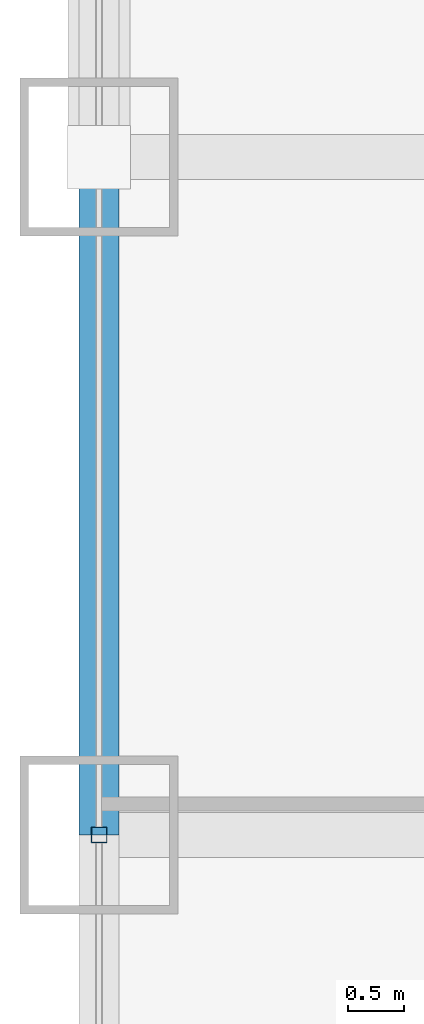
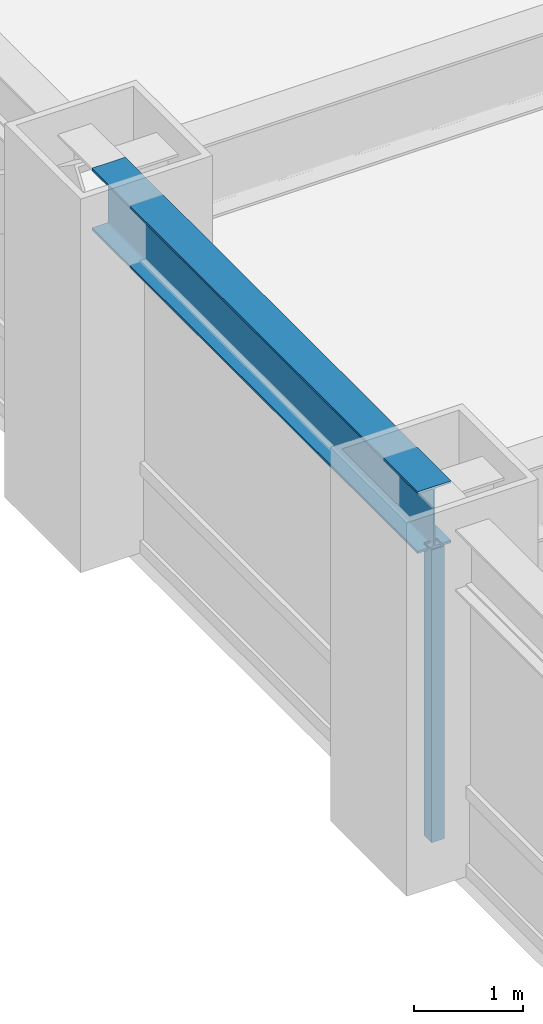
# One storey, part 8 of 32: 1 beam, 1 member, 1 element without a shape of its own.
"""IFC4 building model written with IfcOpenShell, lengths in metres."""

import ifcopenshell
import ifcopenshell.guid

model = None  # the IFC model being written
_history = None  # IfcOwnerHistory: only IFC2X3 demands one
_inside = {}  # id of a spatial element -> (the spatial element, [elements in it])
_under = {}  # id of a project, library or spatial element -> (it, [spatial elements below it])
_declared = {}  # id of a project -> (the project, [libraries it declares])
_typed = {}  # id of a type object -> (the type object, [elements of that type])
_made_of = {}  # id of a material, layer set ... -> (it, [elements and type objects made of it])


def new_model(schema):
    """Start an empty IFC model of exactly this schema.

    Asked for "IFC4X3", IfcOpenShell would pick the latest addendum, in which some entities
    have other attributes; the version numbers below select the first issue.
    IFC2X3 requires an IfcOwnerHistory on every rooted entity: one is made here for all.
    """
    global model, _history
    if schema == "IFC4X3":
        model = ifcopenshell.file(schema_version=(4, 3, 0, 0))
    else:
        model = ifcopenshell.file(schema=schema)
    _inside.clear()
    _under.clear()
    _declared.clear()
    _typed.clear()
    _made_of.clear()
    _history = None
    if model.schema == "IFC2X3":
        org = make("IfcOrganization", Name="unknown")
        user = make(
            "IfcPersonAndOrganization",
            ThePerson=make("IfcPerson", FamilyName="unknown"),
            TheOrganization=org,
        )
        app = make(
            "IfcApplication",
            ApplicationDeveloper=org,
            Version="unknown",
            ApplicationFullName="unknown",
            ApplicationIdentifier="unknown",
        )
        _history = make(
            "IfcOwnerHistory",
            OwningUser=user,
            OwningApplication=app,
            ChangeAction="ADDED",
            CreationDate=0,
        )
    return model


def make(cls, **values):
    """One entity of the class cls with the attributes given. An attribute that is None is left unset."""
    return model.create_entity(
        cls, **{name: value for name, value in values.items() if value is not None}
    )


def rooted(cls, **values):
    """An entity with a GlobalId (a new one), such as an element, a storey or a relation."""
    return make(cls, GlobalId=ifcopenshell.guid.new(), OwnerHistory=_history, **values)


def si_unit(unit_type, name, prefix=None):
    """IfcSIUnit, for example si_unit("LENGTHUNIT", "METRE", prefix="MILLI")."""
    return make("IfcSIUnit", UnitType=unit_type, Prefix=prefix, Name=name)


def assignment(units):
    """IfcUnitAssignment: the units of a project."""
    return None if units is None else make("IfcUnitAssignment", Units=units)


def point(xyz):
    """IfcCartesianPoint."""
    return None if xyz is None else make("IfcCartesianPoint", Coordinates=xyz)


def direction(xyz):
    """IfcDirection."""
    return None if xyz is None else make("IfcDirection", DirectionRatios=xyz)


def frame(location, z_axis=None, x_axis=None):
    """IfcAxis2Placement3D, a coordinate frame: its origin and axes. An axis left out is left unset."""
    return make(
        "IfcAxis2Placement3D",
        Location=point(location),
        Axis=direction(z_axis),
        RefDirection=direction(x_axis),
    )


def frame_2d(location, x_axis=None):
    """IfcAxis2Placement2D, a coordinate frame in the plane: its origin and x axis."""
    return make(
        "IfcAxis2Placement2D", Location=point(location), RefDirection=direction(x_axis)
    )


def origin():
    """The frame at (0, 0, 0) with its axes left unset."""
    return frame((0.0, 0.0, 0.0))


def origin_2d():
    """The frame at (0, 0) in the plane with its x axis left unset."""
    return frame_2d((0.0, 0.0))


def place(relative_to, where):
    """IfcLocalPlacement: puts the frame where relative to a parent placement (None: the world)."""
    return make(
        "IfcLocalPlacement", PlacementRelTo=relative_to, RelativePlacement=where
    )


def context(
    kind, dimensions, precision=None, world=None, true_north=None, identifier=None
):
    """IfcGeometricRepresentationContext, for example the 3D "Model" context."""
    return make(
        "IfcGeometricRepresentationContext",
        ContextIdentifier=identifier,
        ContextType=kind,
        CoordinateSpaceDimension=dimensions,
        Precision=precision,
        WorldCoordinateSystem=world,
        TrueNorth=true_north,
    )


def subcontext(parent, identifier, kind, view, scale=None):
    """IfcGeometricRepresentationSubContext, for example "Body" below "Model"."""
    return make(
        "IfcGeometricRepresentationSubContext",
        ContextIdentifier=identifier,
        ContextType=kind,
        ParentContext=parent,
        TargetScale=scale,
        TargetView=view,
    )


def project(units=None, contexts=None):
    """IfcProject with its units and contexts."""
    return rooted(
        "IfcProject",
        Name="project",
        RepresentationContexts=contexts,
        UnitsInContext=assignment(units),
    )


def spatial(cls, under=None, at=None, **own):
    """A site, building, storey or space (cls), placed at a placement, below another one or the project."""
    s = rooted(cls, ObjectPlacement=at, **own)
    if under is not None:
        _under.setdefault(under.id(), (under, []))[1].append(s)
    return s


def profile(cls, at=None, kind="AREA", **sizes):
    """A parametric profile (cls). Its sizes go by their IFC names, for example OverallWidth=200.0."""
    return make(cls, ProfileType=kind, Position=at, **sizes)


def hollow_rectangle(**sizes):
    """IfcRectangleHollowProfileDef."""
    return profile("IfcRectangleHollowProfileDef", **sizes)


def i_section(**sizes):
    """IfcIShapeProfileDef."""
    return profile("IfcIShapeProfileDef", **sizes)


def extrude(swept, where, along, depth):
    """IfcExtrudedAreaSolid: the profile swept, set in the frame where, extruded along a direction by depth."""
    return make(
        "IfcExtrudedAreaSolid",
        SweptArea=swept,
        Position=where,
        ExtrudedDirection=direction(along),
        Depth=depth,
    )


def shape(context_of_items, identifier, shape_type, items):
    """IfcShapeRepresentation: the items that make up one representation, for example the "Body"."""
    return make(
        "IfcShapeRepresentation",
        ContextOfItems=context_of_items,
        RepresentationIdentifier=identifier,
        RepresentationType=shape_type,
        Items=items,
    )


def source(mapping_origin, context_of_items, identifier, shape_type, items):
    """IfcRepresentationMap: a shape defined once, which mapped items show again and again."""
    return make(
        "IfcRepresentationMap",
        MappingOrigin=mapping_origin,
        MappedRepresentation=shape(context_of_items, identifier, shape_type, items),
    )


def transform(
    local_origin,
    x_axis=None,
    y_axis=None,
    z_axis=None,
    scale=None,
    scale2=None,
    scale3=None,
    uniform=True,
):
    """IfcCartesianTransformationOperator3D, or its non-uniform kind. x_axis, y_axis, z_axis: its Axis1, 2, 3."""
    if uniform:
        return make(
            "IfcCartesianTransformationOperator3D",
            Axis1=direction(x_axis),
            Axis2=direction(y_axis),
            LocalOrigin=point(local_origin),
            Scale=scale,
            Axis3=direction(z_axis),
        )
    return make(
        "IfcCartesianTransformationOperator3DnonUniform",
        Axis1=direction(x_axis),
        Axis2=direction(y_axis),
        LocalOrigin=point(local_origin),
        Scale=scale,
        Axis3=direction(z_axis),
        Scale2=scale2,
        Scale3=scale3,
    )


def mapped(mapping_source, mapping_target):
    """IfcMappedItem: shows the shape of a source again, moved by a transform."""
    return make(
        "IfcMappedItem", MappingSource=mapping_source, MappingTarget=mapping_target
    )


def material(Name=None, Category=None):
    """IfcMaterial."""
    return make("IfcMaterial", Name=Name, Category=Category)


def material_profile(
    of_material, cross_section, Name=None, Category=None, Priority=None
):
    """IfcMaterialProfile: a cross section and its material."""
    return make(
        "IfcMaterialProfile",
        Name=Name,
        Material=of_material,
        Profile=cross_section,
        Priority=Priority,
        Category=Category,
    )


def profile_set(profiles, Name=None, composite=None):
    """IfcMaterialProfileSet."""
    return make(
        "IfcMaterialProfileSet",
        Name=Name,
        MaterialProfiles=profiles,
        CompositeProfile=composite,
    )


def made_of(thing, what):
    """Note that an element or type object is made of a material, layer set ...; save() writes the relation."""
    if what is not None:
        _made_of.setdefault(what.id(), (what, []))[1].append(thing)
    return thing


def type_object(cls, material=None, **own):
    """A type object (cls), such as IfcWallType, which elements share."""
    return made_of(rooted(cls, **own), material)


def element(
    cls,
    number,
    at=None,
    inside=None,
    cuts=None,
    type_object=None,
    material=None,
    context=None,
    identifier="Body",
    shape_type=None,
    held_by="IfcProductDefinitionShape",
    body=None,
    shapes=None,
    **own,
):
    """One element of the class cls, such as IfcWall. Its Tag is "e" and its number.

    at: its placement. inside: the storey or other place that contains it. cuts: it is an
    opening in that element (IfcRelVoidsElement). A single representation is given by context,
    identifier, shape_type and body (its items); several are given by shapes. held_by: the class
    of the entity that holds the representations. save() writes the other relations.
    """
    e = rooted(cls, Tag="e%d" % number, ObjectPlacement=at, **own)
    if body is not None:
        shapes = [shape(context, identifier, shape_type, body)]
    if shapes is not None:
        e.Representation = make(held_by, Representations=shapes)
    if inside is not None:
        _inside.setdefault(inside.id(), (inside, []))[1].append(e)
    if cuts is not None:
        rooted(
            "IfcRelVoidsElement", RelatingBuildingElement=cuts, RelatedOpeningElement=e
        )
    if type_object is not None:
        _typed.setdefault(type_object.id(), (type_object, []))[1].append(e)
    return made_of(e, material)


def aggregate(whole, parts):
    """IfcRelAggregates: a whole, such as a stair, and the parts it consists of."""
    return rooted("IfcRelAggregates", RelatingObject=whole, RelatedObjects=parts)


def save(model, path):
    """Write the relations noted so far, then the file.

    IfcRelAggregates (storeys below a building ...), IfcRelContainedInSpatialStructure (elements
    in a storey), IfcRelDefinesByType, IfcRelAssociatesMaterial and IfcRelDeclares: one each for
    every whole, place, type object, material and project.
    """
    for whole, parts in _under.values():
        aggregate(whole, parts)
    for where, things in _inside.values():
        rooted(
            "IfcRelContainedInSpatialStructure",
            RelatedElements=things,
            RelatingStructure=where,
        )
    for kind, things in _typed.values():
        rooted("IfcRelDefinesByType", RelatedObjects=things, RelatingType=kind)
    for what, things in _made_of.values():
        rooted("IfcRelAssociatesMaterial", RelatedObjects=things, RelatingMaterial=what)
    for by, libraries in _declared.values():
        rooted("IfcRelDeclares", RelatingContext=by, RelatedDefinitions=libraries)
    model.write(path)


model = new_model("IFC4")

# Units and contexts
model_context = context("Model", 3, precision=1e-05, world=origin(), true_north=direction((0.0, 1.0)))
body_context = subcontext(model_context, "Body", "Model", "MODEL_VIEW")
ifc_project = project(units=[si_unit("LENGTHUNIT", "METRE"), si_unit("AREAUNIT", "SQUARE_METRE"), si_unit("VOLUMEUNIT", "CUBIC_METRE"), si_unit("PLANEANGLEUNIT", "RADIAN"), si_unit("MASSUNIT", "GRAM", prefix="KILO")], contexts=[model_context])

# Site, building, storey
site_placement = place(None, origin())
site = spatial("IfcSite", under=ifc_project, at=site_placement, CompositionType="ELEMENT")
building_placement = place(site_placement, origin())
building = spatial("IfcBuilding", under=site, at=building_placement, Name="Khorayat Bourse Tower", CompositionType="ELEMENT")
storey_placement = place(building_placement, frame((0.0, 0.0, 78.800048828125)))
storey = spatial("IfcBuildingStorey", under=building, at=storey_placement, Name="L17", CompositionType="ELEMENT", Elevation=78.800048828125)

# Beam
ifc_material_1 = material(Name="Steel ASTM A992 Grade 50", Category="steel")
ifc_material_profile_1 = material_profile(ifc_material_1, i_section(OverallWidth=0.35498046875, OverallDepth=0.695068359375, WebThickness=0.015380859375, FlangeThickness=0.02490234375, FilletRadius=0.01806640625, at=origin_2d()), Name="W690X217")
ifc_profile_set_1 = profile_set([ifc_material_profile_1], Name="Steel ASTM A992 Grade 50")
beam_type = type_object("IfcBeamType", Name="BM-SPAN-690", PredefinedType="SPANDREL", material=ifc_profile_set_1)
shared_shape_1 = source(origin(), body_context, "Body", "SweptSolid", [
    extrude(i_section(OverallWidth=0.35498046875, OverallDepth=0.695068359375, WebThickness=0.015380859375, FlangeThickness=0.02490234375, FilletRadius=0.01806640625, at=origin_2d()), origin(), (0.0, 0.0, 1.0), 6.0),
])
beam_placement = place(storey_placement, frame((-32.0, 0.0, 3.592529296875), z_axis=(0.0, 1.0, 0.0), x_axis=(-1.0, 0.0, 0.0)))
element("IfcBeam", 1, at=beam_placement, inside=storey, type_object=beam_type, Name="L17 BM-SPAN-690 BM-L17-SPN-057", PredefinedType="SPANDREL", context=body_context, shape_type="MappedRepresentation", body=[
    mapped(shared_shape_1, transform((0.0, 0.0, 0.0), scale=1.0)),
])

# Curtain wall, member
ifc_material_2 = material(Name="Aluminium EN AW-6063 T6", Category="aluminium")
curtain_wall_type = type_object("IfcCurtainWallType", Name="CW-SYS-02", PredefinedType="NOTDEFINED", material=ifc_material_2)
curtain_wall_placement = place(storey_placement, origin())
curtain_wall = element("IfcCurtainWall", 2, at=curtain_wall_placement, inside=storey, type_object=curtain_wall_type, Name="L17 Curtain Wall CW-L17-W1", PredefinedType="NOTDEFINED")
ifc_material_profile_2 = material_profile(ifc_material_2, hollow_rectangle(XDim=0.139892578125, YDim=0.139892578125, WallThickness=0.006103515625, at=origin_2d()), Name="ALU 140x140x6")
ifc_profile_set_2 = profile_set([ifc_material_profile_2], Name="Aluminium EN AW-6063 T6")
member_type = type_object("IfcMemberType", Name="CWM-VERT-140", PredefinedType="MULLION", material=ifc_profile_set_2)
shared_shape_2 = source(origin(), body_context, "Body", "SweptSolid", [
    extrude(hollow_rectangle(XDim=0.139892578125, YDim=0.139892578125, WallThickness=0.006103515625, at=origin_2d()), origin(), (0.0, 0.0, 1.0), 3.2900390625),
])
member_placement = place(storey_placement, frame((-32.0, 0.0, 0.0), z_axis=(0.0, 0.0, 1.0), x_axis=(-1.0, 0.0, 0.0)))
member = element("IfcMember", 3, at=member_placement, type_object=member_type, Name="CW-L17-W1 Vertical Mullion 2", PredefinedType="MULLION", context=body_context, shape_type="MappedRepresentation", body=[
    mapped(shared_shape_2, transform((0.0, 0.0, 0.0), scale=1.0)),
])
aggregate(curtain_wall, [member])

save(model, "model.ifc")
